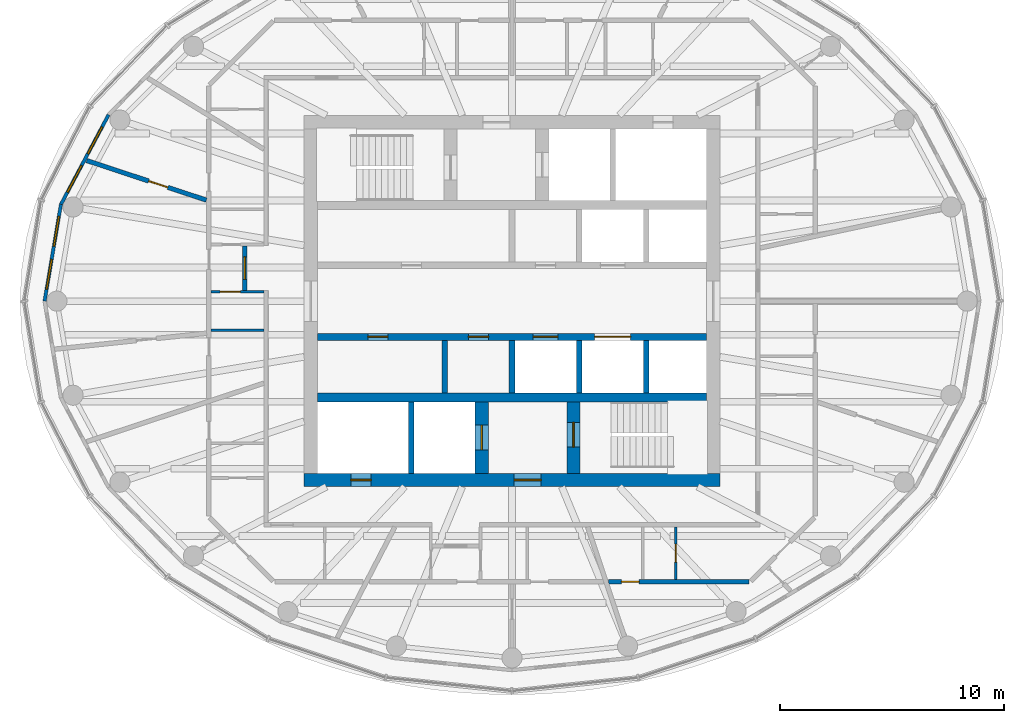
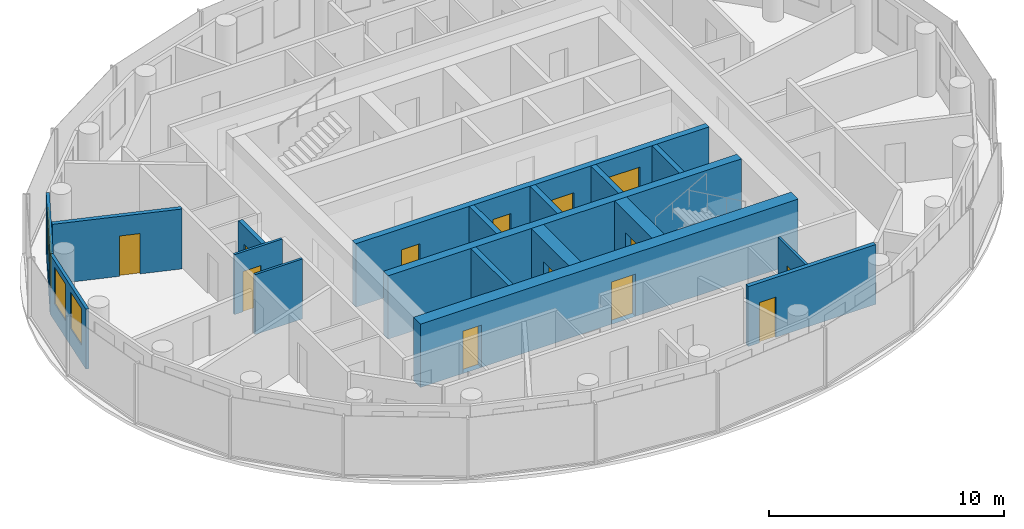
# One storey, part 6 of 11: 18 walls, 13 doors, 4 windows, 17 openings.
"""IFC4 building model written with IfcOpenShell, lengths in metres."""

from ifc_helpers import new_model, si_unit, direction, frame, frame_2d, origin, place, context, subcontext, project, spatial, rectangle, extrude, material, layer, layer_set, type_object, element, fill, save


model = new_model("IFC4")

# Units and contexts
model_context = context("Model", 3, precision=1e-05, world=origin(), true_north=direction((0.0, 1.0)))
body_context = subcontext(model_context, "Body", "Model", "MODEL_VIEW")
ifc_project = project(units=[si_unit("LENGTHUNIT", "METRE"), si_unit("AREAUNIT", "SQUARE_METRE"), si_unit("VOLUMEUNIT", "CUBIC_METRE"), si_unit("PLANEANGLEUNIT", "RADIAN"), si_unit("MASSUNIT", "GRAM", prefix="KILO")], contexts=[model_context])

# Site, building, storey
site_placement = place(None, origin())
site = spatial("IfcSite", under=ifc_project, at=site_placement, CompositionType="ELEMENT")
building_placement = place(site_placement, origin())
building = spatial("IfcBuilding", under=site, at=building_placement, Name="Hankou Lantern Tower", CompositionType="ELEMENT")
storey_placement = place(building_placement, frame((0.0, 0.0, 196.199951171875)))
storey = spatial("IfcBuildingStorey", under=building, at=storey_placement, Name="L52", CompositionType="ELEMENT", Elevation=196.199951171875)

# Wall, openings, doors
ifc_material_1 = material(Name="Concrete C60", Category="concrete")
ifc_layer_1 = layer(ifc_material_1, 0.60009765625)
ifc_layer_set_1 = layer_set([ifc_layer_1], Name="Concrete C60")
wall_type_1 = type_object("IfcWallType", Name="CW3 CORE WALL 600", PredefinedType="SHEAR", material=ifc_layer_set_1)
wall_1_placement = place(storey_placement, frame((9.300048828125, -8.0, 0.0), z_axis=(0.0, 0.0, 1.0), x_axis=(-1.0, 0.0, 0.0)))
wall_1 = element("IfcWall", 1, at=wall_1_placement, inside=storey, type_object=wall_type_1, Name="Core wall south L52", PredefinedType="SHEAR", context=body_context, shape_type="SweptSolid", body=[
    extrude(rectangle(XDim=18.60009765625, YDim=0.60009765625, at=frame_2d((9.300048828125, 0.0))), origin(), (0.0, 0.0, 1.0), 3.300048828125),
])
opening_1_placement = place(wall_1_placement, frame((8.0, 0.0, 0.0)))
opening_1 = element("IfcOpeningElement", 2, at=opening_1_placement, cuts=wall_1, Name="Opening D5", PredefinedType="OPENING", context=body_context, shape_type="SweptSolid", body=[
    extrude(rectangle(XDim=1.199951171875, YDim=2.199951171875, at=frame_2d((0.60009765625, 1.10009765625))), frame((0.0, 0.31005859375, 0.0), z_axis=(0.0, -1.0, 0.0), x_axis=(1.0, 0.0, 0.0)), (0.0, 0.0, 1.0), 0.6201171875),
])
opening_2_placement = place(wall_1_placement, frame((15.60009765625, 0.0, 0.0)))
opening_2 = element("IfcOpeningElement", 3, at=opening_2_placement, cuts=wall_1, Name="Opening D7", PredefinedType="OPENING", context=body_context, shape_type="SweptSolid", body=[
    extrude(rectangle(XDim=0.89990234375, YDim=2.199951171875, at=frame_2d((0.449951171875, 1.10009765625))), frame((0.0, 0.31005859375, 0.0), z_axis=(0.0, -1.0, 0.0), x_axis=(1.0, 0.0, 0.0)), (0.0, 0.0, 1.0), 0.6201171875),
])
ifc_material_2 = material(Name="Steel door leaf", Category="steel")
door_type_1 = type_object("IfcDoorType", Name="D5 STAIR LOBBY DOOR 1200X2200", OperationType="SINGLE_SWING_LEFT", PredefinedType="DOOR", material=ifc_material_2)
door_1_placement = place(opening_1_placement, origin())
door_1 = element("IfcDoor", 4, at=door_1_placement, inside=storey, type_object=door_type_1, Name="Stair B lobby door", OperationType="SINGLE_SWING_LEFT", OverallHeight=2.199951171875, OverallWidth=1.199951171875, PredefinedType="DOOR", context=body_context, shape_type="SweptSolid", body=[
    extrude(rectangle(XDim=1.199951171875, YDim=2.199951171875, at=frame_2d((0.60009765625, 1.10009765625))), frame((0.0, 0.02490234375, 0.0), z_axis=(0.0, -1.0, 0.0), x_axis=(1.0, 0.0, 0.0)), (0.0, 0.0, 1.0), 0.050048828125),
])
fill(opening_1, door_1)
ifc_material_3 = material(Name="Steel door leaf", Category="steel")
door_type_2 = type_object("IfcDoorType", Name="D7 RISER DOOR 900X2200", OperationType="SINGLE_SWING_LEFT", PredefinedType="DOOR", material=ifc_material_3)
door_2_placement = place(opening_2_placement, origin())
door_2 = element("IfcDoor", 5, at=door_2_placement, inside=storey, type_object=door_type_2, Name="Riser S1 door", OperationType="SINGLE_SWING_RIGHT", OverallHeight=2.199951171875, OverallWidth=0.89990234375, PredefinedType="DOOR", context=body_context, shape_type="SweptSolid", body=[
    extrude(rectangle(XDim=0.89990234375, YDim=2.199951171875, at=frame_2d((0.449951171875, 1.10009765625))), frame((0.0, 0.02490234375, 0.0), z_axis=(0.0, -1.0, 0.0), x_axis=(1.0, 0.0, 0.0)), (0.0, 0.0, 1.0), 0.050048828125),
])
fill(opening_2, door_2)

# Wall
ifc_material_4 = material(Name="Concrete C60", Category="concrete")
ifc_layer_2 = layer(ifc_material_4, 0.39990234375)
ifc_layer_set_2 = layer_set([ifc_layer_2], Name="Concrete C60")
wall_type_2 = type_object("IfcWallType", Name="CW4 CORE CROSS WALL 400", PredefinedType="SHEAR", material=ifc_layer_set_2)
wall_2_placement = place(storey_placement, frame((-8.699951171875, -4.300048828125, 0.0), z_axis=(0.0, 0.0, 1.0), x_axis=(1.0, 0.0, 0.0)))
element("IfcWall", 6, at=wall_2_placement, inside=storey, type_object=wall_type_2, Name="Core band wall south L52", PredefinedType="SHEAR", context=body_context, shape_type="SweptSolid", body=[
    extrude(rectangle(XDim=17.39990234375, YDim=0.39990234375, at=frame_2d((8.699951171875, 0.0))), origin(), (0.0, 0.0, 1.0), 3.300048828125),
])

# Wall, openings, doors
ifc_material_5 = material(Name="Concrete C60", Category="concrete")
ifc_layer_3 = layer(ifc_material_5, 0.300048828125)
ifc_layer_set_3 = layer_set([ifc_layer_3], Name="Concrete C60")
wall_type_3 = type_object("IfcWallType", Name="CW5 LIFT LOBBY WALL 300", PredefinedType="SHEAR", material=ifc_layer_set_3)
wall_3_placement = place(storey_placement, frame((-8.699951171875, -1.60009765625, 0.0), z_axis=(0.0, 0.0, 1.0), x_axis=(1.0, 0.0, 0.0)))
wall_3 = element("IfcWall", 7, at=wall_3_placement, inside=storey, type_object=wall_type_3, Name="Lift lobby wall south L52", PredefinedType="SHEAR", context=body_context, shape_type="SweptSolid", body=[
    extrude(rectangle(XDim=17.39990234375, YDim=0.300048828125, at=frame_2d((8.699951171875, 0.0))), origin(), (0.0, 0.0, 1.0), 3.300048828125),
])
opening_3_placement = place(wall_3_placement, frame((9.64990234375, 0.0, 0.0)))
opening_3 = element("IfcOpeningElement", 8, at=opening_3_placement, cuts=wall_3, Name="Opening LD1", PredefinedType="OPENING", context=body_context, shape_type="SweptSolid", body=[
    extrude(rectangle(XDim=1.10009765625, YDim=2.199951171875, at=frame_2d((0.550048828125, 1.10009765625))), frame((0.0, 0.159912109375, 0.0), z_axis=(0.0, -1.0, 0.0), x_axis=(1.0, 0.0, 0.0)), (0.0, 0.0, 1.0), 0.320068359375),
])
opening_4_placement = place(wall_3_placement, frame((12.39990234375, 0.0, 0.0)))
opening_4 = element("IfcOpeningElement", 9, at=opening_4_placement, cuts=wall_3, Name="Opening LD4", PredefinedType="OPENING", context=body_context, shape_type="SweptSolid", body=[
    extrude(rectangle(XDim=1.60009765625, YDim=2.39990234375, at=frame_2d((0.800048828125, 1.199951171875))), frame((0.0, 0.159912109375, 0.0), z_axis=(0.0, -1.0, 0.0), x_axis=(1.0, 0.0, 0.0)), (0.0, 0.0, 1.0), 0.320068359375),
])
opening_5_placement = place(wall_3_placement, frame((2.25, 0.0, 0.0)))
opening_5 = element("IfcOpeningElement", 10, at=opening_5_placement, cuts=wall_3, Name="Opening D30", PredefinedType="OPENING", context=body_context, shape_type="SweptSolid", body=[
    extrude(rectangle(XDim=0.89990234375, YDim=2.199951171875, at=frame_2d((0.449951171875, 1.10009765625))), frame((0.0, 0.159912109375, 0.0), z_axis=(0.0, -1.0, 0.0), x_axis=(1.0, 0.0, 0.0)), (0.0, 0.0, 1.0), 0.320068359375),
])
opening_6_placement = place(wall_3_placement, frame((6.75, 0.0, 0.0)))
opening_6 = element("IfcOpeningElement", 11, at=opening_6_placement, cuts=wall_3, Name="Opening D30", PredefinedType="OPENING", context=body_context, shape_type="SweptSolid", body=[
    extrude(rectangle(XDim=0.89990234375, YDim=2.199951171875, at=frame_2d((0.449951171875, 1.10009765625))), frame((0.0, 0.159912109375, 0.0), z_axis=(0.0, -1.0, 0.0), x_axis=(1.0, 0.0, 0.0)), (0.0, 0.0, 1.0), 0.320068359375),
])
ifc_material_6 = material(Name="Steel door leaf", Category="steel")
door_type_3 = type_object("IfcDoorType", Name="D30 CORE ROOM DOOR 900X2200", OperationType="SINGLE_SWING_LEFT", PredefinedType="DOOR", material=ifc_material_6)
door_3_placement = place(opening_5_placement, origin())
door_3 = element("IfcDoor", 12, at=door_3_placement, inside=storey, type_object=door_type_3, Name="Guest pantry and ice room door", OperationType="SINGLE_SWING_LEFT", OverallHeight=2.199951171875, OverallWidth=0.89990234375, PredefinedType="DOOR", context=body_context, shape_type="SweptSolid", body=[
    extrude(rectangle(XDim=0.89990234375, YDim=2.199951171875, at=frame_2d((0.449951171875, 1.10009765625))), frame((0.0, 0.02490234375, 0.0), z_axis=(0.0, -1.0, 0.0), x_axis=(1.0, 0.0, 0.0)), (0.0, 0.0, 1.0), 0.050048828125),
])
fill(opening_5, door_3)
door_4_placement = place(opening_6_placement, origin())
door_4 = element("IfcDoor", 13, at=door_4_placement, inside=storey, type_object=door_type_3, Name="Housekeeping and linen store door", OperationType="SINGLE_SWING_LEFT", OverallHeight=2.199951171875, OverallWidth=0.89990234375, PredefinedType="DOOR", context=body_context, shape_type="SweptSolid", body=[
    extrude(rectangle(XDim=0.89990234375, YDim=2.199951171875, at=frame_2d((0.449951171875, 1.10009765625))), frame((0.0, 0.02490234375, 0.0), z_axis=(0.0, -1.0, 0.0), x_axis=(1.0, 0.0, 0.0)), (0.0, 0.0, 1.0), 0.050048828125),
])
fill(opening_6, door_4)
ifc_material_7 = material(Name="Steel door leaf", Category="steel")
door_type_4 = type_object("IfcDoorType", Name="LD1 LIFT LANDING DOOR 1100X2200", OperationType="DOUBLE_DOOR_SLIDING", PredefinedType="DOOR", material=ifc_material_7)
door_5_placement = place(opening_3_placement, origin())
door_5 = element("IfcDoor", 14, at=door_5_placement, inside=storey, type_object=door_type_4, Name="Lift T2 landing door", OperationType="DOUBLE_DOOR_SLIDING", OverallHeight=2.199951171875, OverallWidth=1.10009765625, PredefinedType="DOOR", context=body_context, shape_type="SweptSolid", body=[
    extrude(rectangle(XDim=1.10009765625, YDim=2.199951171875, at=frame_2d((0.550048828125, 1.10009765625))), frame((0.0, 0.02490234375, 0.0), z_axis=(0.0, -1.0, 0.0), x_axis=(1.0, 0.0, 0.0)), (0.0, 0.0, 1.0), 0.050048828125),
])
fill(opening_3, door_5)
ifc_material_8 = material(Name="Steel door leaf", Category="steel")
door_type_5 = type_object("IfcDoorType", Name="LD4 SERVICE LIFT LANDING DOOR 1600X2400", OperationType="DOUBLE_DOOR_SLIDING", PredefinedType="DOOR", material=ifc_material_8)
door_6_placement = place(opening_4_placement, origin())
door_6 = element("IfcDoor", 15, at=door_6_placement, inside=storey, type_object=door_type_5, Name="Lift SV1 landing door", OperationType="DOUBLE_DOOR_SLIDING", OverallHeight=2.39990234375, OverallWidth=1.60009765625, PredefinedType="DOOR", context=body_context, shape_type="SweptSolid", body=[
    extrude(rectangle(XDim=1.60009765625, YDim=2.39990234375, at=frame_2d((0.800048828125, 1.199951171875))), frame((0.0, 0.02490234375, 0.0), z_axis=(0.0, -1.0, 0.0), x_axis=(1.0, 0.0, 0.0)), (0.0, 0.0, 1.0), 0.050048828125),
])
fill(opening_4, door_6)

# Wall, opening, door
ifc_material_9 = material(Name="Concrete C60", Category="concrete")
ifc_layer_4 = layer(ifc_material_9, 0.60009765625)
ifc_layer_set_4 = layer_set([ifc_layer_4], Name="Concrete C60")
wall_type_4 = type_object("IfcWallType", Name="CW6 STAIR AND SHAFT WALL 600", PredefinedType="SHEAR", material=ifc_layer_set_4)
wall_4_placement = place(storey_placement, frame((2.75, -7.699951171875, 0.0), z_axis=(0.0, 0.0, 1.0), x_axis=(0.0, 1.0, 0.0)))
wall_4 = element("IfcWall", 16, at=wall_4_placement, inside=storey, type_object=wall_type_4, Name="Stair wall L52", PredefinedType="SHEAR", context=body_context, shape_type="SweptSolid", body=[
    extrude(rectangle(XDim=3.199951171875, YDim=0.60009765625, at=frame_2d((1.60009765625, 0.0))), origin(), (0.0, 0.0, 1.0), 3.300048828125),
])
opening_7_placement = place(wall_4_placement, frame((1.175048828125, 0.0, 0.0)))
opening_7 = element("IfcOpeningElement", 17, at=opening_7_placement, cuts=wall_4, Name="Opening D4", PredefinedType="OPENING", context=body_context, shape_type="SweptSolid", body=[
    extrude(rectangle(XDim=1.10009765625, YDim=2.199951171875, at=frame_2d((0.550048828125, 1.10009765625))), frame((0.0, 0.31005859375, 0.0), z_axis=(0.0, -1.0, 0.0), x_axis=(1.0, 0.0, 0.0)), (0.0, 0.0, 1.0), 0.6201171875),
])
ifc_material_10 = material(Name="Steel door leaf", Category="steel")
door_type_6 = type_object("IfcDoorType", Name="D4 STAIR DOOR 1100X2200", OperationType="SINGLE_SWING_LEFT", PredefinedType="DOOR", material=ifc_material_10)
door_7_placement = place(opening_7_placement, origin())
door_7 = element("IfcDoor", 18, at=door_7_placement, inside=storey, type_object=door_type_6, Name="Stair B door", OperationType="SINGLE_SWING_RIGHT", OverallHeight=2.199951171875, OverallWidth=1.10009765625, PredefinedType="DOOR", context=body_context, shape_type="SweptSolid", body=[
    extrude(rectangle(XDim=1.10009765625, YDim=2.199951171875, at=frame_2d((0.550048828125, 1.10009765625))), frame((0.0, 0.02490234375, 0.0), z_axis=(0.0, -1.0, 0.0), x_axis=(1.0, 0.0, 0.0)), (0.0, 0.0, 1.0), 0.050048828125),
])
fill(opening_7, door_7)

wall_5_placement = place(storey_placement, frame((-1.35009765625, -7.699951171875, 0.0), z_axis=(0.0, 0.0, 1.0), x_axis=(0.0, 1.0, 0.0)))
wall_5 = element("IfcWall", 19, at=wall_5_placement, inside=storey, type_object=wall_type_4, Name="Firefighting lift shaft wall L52", PredefinedType="SHEAR", context=body_context, shape_type="SweptSolid", body=[
    extrude(rectangle(XDim=3.199951171875, YDim=0.60009765625, at=frame_2d((1.60009765625, 0.0))), origin(), (0.0, 0.0, 1.0), 3.300048828125),
])
opening_8_placement = place(wall_5_placement, frame((1.050048828125, 0.0, 0.0)))
opening_8 = element("IfcOpeningElement", 20, at=opening_8_placement, cuts=wall_5, Name="Opening LD2", PredefinedType="OPENING", context=body_context, shape_type="SweptSolid", body=[
    extrude(rectangle(XDim=1.10009765625, YDim=2.199951171875, at=frame_2d((0.550048828125, 1.10009765625))), frame((0.0, 0.31005859375, 0.0), z_axis=(0.0, -1.0, 0.0), x_axis=(1.0, 0.0, 0.0)), (0.0, 0.0, 1.0), 0.6201171875),
])
ifc_material_11 = material(Name="Steel door leaf", Category="steel")
door_type_7 = type_object("IfcDoorType", Name="LD2 FIREFIGHTING LIFT LANDING DOOR 1100X2200", OperationType="DOUBLE_DOOR_SLIDING", PredefinedType="DOOR", material=ifc_material_11)
door_8_placement = place(opening_8_placement, origin())
door_8 = element("IfcDoor", 21, at=door_8_placement, inside=storey, type_object=door_type_7, Name="Firefighting lift FL2 landing door", OperationType="DOUBLE_DOOR_SLIDING", OverallHeight=2.199951171875, OverallWidth=1.10009765625, PredefinedType="DOOR", context=body_context, shape_type="SweptSolid", body=[
    extrude(rectangle(XDim=1.10009765625, YDim=2.199951171875, at=frame_2d((0.550048828125, 1.10009765625))), frame((0.0, 0.02490234375, 0.0), z_axis=(0.0, -1.0, 0.0), x_axis=(1.0, 0.0, 0.0)), (0.0, 0.0, 1.0), 0.050048828125),
])
fill(opening_8, door_8)

# Wall, openings, windows
ifc_material_12 = material(Name="Aluminium spandrel panel on steel studs", Category="steel")
ifc_layer_5 = layer(ifc_material_12, 0.14990234375)
ifc_layer_set_5 = layer_set([ifc_layer_5], Name="Aluminium spandrel panel on steel studs")
wall_type_5 = type_object("IfcWallType", Name="EW1 INNER SKIN WALL 150", PredefinedType="ELEMENTEDWALL", material=ifc_layer_set_5)
wall_6_placement = place(storey_placement, frame((-18.03955078125, 8.33203125, 0.0), z_axis=(0.0, 0.0, 1.0), x_axis=(-0.469256152955, -0.883062094597, 0.0)))
wall_6 = element("IfcWall", 22, at=wall_6_placement, inside=storey, type_object=wall_type_5, Name="Inner skin R11-R12 L52", PredefinedType="ELEMENTEDWALL", context=body_context, shape_type="SweptSolid", body=[
    extrude(rectangle(XDim=4.539306640625, YDim=0.14990234375, at=frame_2d((2.26953125, 0.0))), origin(), (0.0, 0.0, 1.0), 3.1201171875),
])
opening_9_placement = place(wall_6_placement, frame((0.61962890625, 0.0, 0.89990234375)))
opening_9 = element("IfcOpeningElement", 23, at=opening_9_placement, cuts=wall_6, Name="Opening W4", PredefinedType="OPENING", context=body_context, shape_type="SweptSolid", body=[
    extrude(rectangle(XDim=1.35009765625, YDim=1.89990234375, at=frame_2d((0.675048828125, 0.949951171875))), frame((0.0, 0.0849609375, 0.0), z_axis=(0.0, -1.0, 0.0), x_axis=(1.0, 0.0, 0.0)), (0.0, 0.0, 1.0), 0.169921875),
])
opening_10_placement = place(wall_6_placement, frame((2.569580078125, 0.0, 0.89990234375)))
opening_10 = element("IfcOpeningElement", 24, at=opening_10_placement, cuts=wall_6, Name="Opening W4", PredefinedType="OPENING", context=body_context, shape_type="SweptSolid", body=[
    extrude(rectangle(XDim=1.35009765625, YDim=1.89990234375, at=frame_2d((0.675048828125, 0.949951171875))), frame((0.0, 0.0849609375, 0.0), z_axis=(0.0, -1.0, 0.0), x_axis=(1.0, 0.0, 0.0)), (0.0, 0.0, 1.0), 0.169921875),
])
ifc_material_13 = material(Name="Aluminium framed double glazed window", Category="aluminium")
window_type = type_object("IfcWindowType", Name="W4 SUITE WINDOW 1350X1900", PartitioningType="DOUBLE_PANEL_VERTICAL", PredefinedType="WINDOW", material=ifc_material_13)
window_1_placement = place(opening_9_placement, origin())
window_1 = element("IfcWindow", 25, at=window_1_placement, inside=storey, type_object=window_type, Name="Window R11.1 L52", OverallHeight=1.89990234375, OverallWidth=1.35009765625, PartitioningType="SINGLE_PANEL", PredefinedType="WINDOW", context=body_context, shape_type="SweptSolid", body=[
    extrude(rectangle(XDim=1.35009765625, YDim=1.89990234375, at=frame_2d((0.675048828125, 0.949951171875))), frame((0.0, 0.030029296875, 0.0), z_axis=(0.0, -1.0, 0.0), x_axis=(1.0, 0.0, 0.0)), (0.0, 0.0, 1.0), 0.06005859375),
])
fill(opening_9, window_1)
window_2_placement = place(opening_10_placement, origin())
window_2 = element("IfcWindow", 26, at=window_2_placement, inside=storey, type_object=window_type, Name="Window R11.2 L52", OverallHeight=1.89990234375, OverallWidth=1.35009765625, PartitioningType="SINGLE_PANEL", PredefinedType="WINDOW", context=body_context, shape_type="SweptSolid", body=[
    extrude(rectangle(XDim=1.35009765625, YDim=1.89990234375, at=frame_2d((0.675048828125, 0.949951171875))), frame((0.0, 0.030029296875, 0.0), z_axis=(0.0, -1.0, 0.0), x_axis=(1.0, 0.0, 0.0)), (0.0, 0.0, 1.0), 0.06005859375),
])
fill(opening_10, window_2)

wall_7_placement = place(storey_placement, frame((-20.169677734375, 4.323486328125, 0.0), z_axis=(0.0, 0.0, 1.0), x_axis=(-0.166538513568, -0.986034950445, 0.0)))
wall_7 = element("IfcWall", 27, at=wall_7_placement, inside=storey, type_object=wall_type_5, Name="Inner skin R12-R13 L52", PredefinedType="ELEMENTEDWALL", context=body_context, shape_type="SweptSolid", body=[
    extrude(rectangle(XDim=4.384765625, YDim=0.14990234375, at=frame_2d((2.1923828125, 0.0))), origin(), (0.0, 0.0, 1.0), 3.1201171875),
])
opening_11_placement = place(wall_7_placement, frame((0.54248046875, 0.0, 0.89990234375)))
opening_11 = element("IfcOpeningElement", 28, at=opening_11_placement, cuts=wall_7, Name="Opening W4", PredefinedType="OPENING", context=body_context, shape_type="SweptSolid", body=[
    extrude(rectangle(XDim=1.35009765625, YDim=1.89990234375, at=frame_2d((0.675048828125, 0.949951171875))), frame((0.0, 0.0849609375, 0.0), z_axis=(0.0, -1.0, 0.0), x_axis=(1.0, 0.0, 0.0)), (0.0, 0.0, 1.0), 0.169921875),
])
opening_12_placement = place(wall_7_placement, frame((2.492431640625, 0.0, 0.89990234375)))
opening_12 = element("IfcOpeningElement", 29, at=opening_12_placement, cuts=wall_7, Name="Opening W4", PredefinedType="OPENING", context=body_context, shape_type="SweptSolid", body=[
    extrude(rectangle(XDim=1.35009765625, YDim=1.89990234375, at=frame_2d((0.675048828125, 0.949951171875))), frame((0.0, 0.0849609375, 0.0), z_axis=(0.0, -1.0, 0.0), x_axis=(1.0, 0.0, 0.0)), (0.0, 0.0, 1.0), 0.169921875),
])
window_3_placement = place(opening_11_placement, origin())
window_3 = element("IfcWindow", 30, at=window_3_placement, inside=storey, type_object=window_type, Name="Window R12.1 L52", OverallHeight=1.89990234375, OverallWidth=1.35009765625, PartitioningType="SINGLE_PANEL", PredefinedType="WINDOW", context=body_context, shape_type="SweptSolid", body=[
    extrude(rectangle(XDim=1.35009765625, YDim=1.89990234375, at=frame_2d((0.675048828125, 0.949951171875))), frame((0.0, 0.030029296875, 0.0), z_axis=(0.0, -1.0, 0.0), x_axis=(1.0, 0.0, 0.0)), (0.0, 0.0, 1.0), 0.06005859375),
])
fill(opening_11, window_3)
window_4_placement = place(opening_12_placement, origin())
window_4 = element("IfcWindow", 31, at=window_4_placement, inside=storey, type_object=window_type, Name="Window R12.2 L52", OverallHeight=1.89990234375, OverallWidth=1.35009765625, PartitioningType="SINGLE_PANEL", PredefinedType="WINDOW", context=body_context, shape_type="SweptSolid", body=[
    extrude(rectangle(XDim=1.35009765625, YDim=1.89990234375, at=frame_2d((0.675048828125, 0.949951171875))), frame((0.0, 0.030029296875, 0.0), z_axis=(0.0, -1.0, 0.0), x_axis=(1.0, 0.0, 0.0)), (0.0, 0.0, 1.0), 0.06005859375),
])
fill(opening_12, window_4)

# Wall, opening, door
ifc_material_14 = material(Name="Masonry lightweight concrete block", Category="masonry")
ifc_layer_6 = layer(ifc_material_14, 0.199951171875)
ifc_layer_set_6 = layer_set([ifc_layer_6], Name="Masonry lightweight concrete block")
wall_type_6 = type_object("IfcWallType", Name="IW2 CORRIDOR WALL 200", PredefinedType="PARTITIONING", material=ifc_layer_set_6)
wall_8_placement = place(storey_placement, frame((-11.949951171875, 2.474365234375, 0.0), z_axis=(0.0, 0.0, 1.0), x_axis=(0.0, -1.0, 0.0)))
wall_8 = element("IfcWall", 32, at=wall_8_placement, inside=storey, type_object=wall_type_6, Name="Suite entrance recess wall 5204", PredefinedType="PARTITIONING", context=body_context, shape_type="SweptSolid", body=[
    extrude(rectangle(XDim=2.0, YDim=0.199951171875, at=frame_2d((1.0, 0.0))), origin(), (0.0, 0.0, 1.0), 3.1201171875),
])
opening_13_placement = place(wall_8_placement, frame((0.5, 0.0, 0.0)))
opening_13 = element("IfcOpeningElement", 33, at=opening_13_placement, cuts=wall_8, Name="Opening D2", PredefinedType="OPENING", context=body_context, shape_type="SweptSolid", body=[
    extrude(rectangle(XDim=1.0, YDim=2.199951171875, at=frame_2d((0.5, 1.10009765625))), frame((0.0, 0.10986328125, 0.0), z_axis=(0.0, -1.0, 0.0), x_axis=(1.0, 0.0, 0.0)), (0.0, 0.0, 1.0), 0.219970703125),
])
ifc_material_15 = material(Name="Steel door leaf", Category="steel")
door_type_8 = type_object("IfcDoorType", Name="D2 SUITE DOOR 1000X2200", OperationType="SINGLE_SWING_LEFT", PredefinedType="DOOR", material=ifc_material_15)
door_9_placement = place(opening_13_placement, origin())
door_9 = element("IfcDoor", 34, at=door_9_placement, inside=storey, type_object=door_type_8, Name="Suite door 5204", OperationType="SINGLE_SWING_RIGHT", OverallHeight=2.199951171875, OverallWidth=1.0, PredefinedType="DOOR", context=body_context, shape_type="SweptSolid", body=[
    extrude(rectangle(XDim=1.0, YDim=2.199951171875, at=frame_2d((0.5, 1.10009765625))), frame((0.0, 0.02490234375, 0.0), z_axis=(0.0, -1.0, 0.0), x_axis=(1.0, 0.0, 0.0)), (0.0, 0.0, 1.0), 0.050048828125),
])
fill(opening_13, door_9)

ifc_material_16 = material(Name="Masonry lightweight concrete block", Category="masonry")
ifc_layer_7 = layer(ifc_material_16, 0.1201171875)
ifc_layer_set_7 = layer_set([ifc_layer_7], Name="Masonry lightweight concrete block")
wall_type_7 = type_object("IfcWallType", Name="IW3 BATHROOM WALL 120", PredefinedType="PARTITIONING", material=ifc_layer_set_7)
wall_9_placement = place(storey_placement, frame((-11.10009765625, 0.414306640625, 0.0), z_axis=(0.0, 0.0, 1.0), x_axis=(-1.0, 0.0, 0.0)))
wall_9 = element("IfcWall", 35, at=wall_9_placement, inside=storey, type_object=wall_type_7, Name="Box wall 5204 3", PredefinedType="PARTITIONING", context=body_context, shape_type="SweptSolid", body=[
    extrude(rectangle(XDim=2.349853515625, YDim=0.1201171875, at=frame_2d((1.1748046875, 0.0))), origin(), (0.0, 0.0, 1.0), 3.1201171875),
])
opening_14_placement = place(wall_9_placement, frame((1.050048828125, 0.0, 0.0)))
opening_14 = element("IfcOpeningElement", 36, at=opening_14_placement, cuts=wall_9, Name="Opening D27", PredefinedType="OPENING", context=body_context, shape_type="SweptSolid", body=[
    extrude(rectangle(XDim=0.89990234375, YDim=2.10009765625, at=frame_2d((0.449951171875, 1.050048828125))), frame((0.0, 0.070068359375, 0.0), z_axis=(0.0, -1.0, 0.0), x_axis=(1.0, 0.0, 0.0)), (0.0, 0.0, 1.0), 0.14013671875),
])
ifc_material_17 = material(Name="Timber door leaf", Category="wood")
door_type_9 = type_object("IfcDoorType", Name="D27 INTERNAL DOOR 900X2100", OperationType="SINGLE_SWING_LEFT", PredefinedType="DOOR", material=ifc_material_17)
door_10_placement = place(opening_14_placement, origin())
door_10 = element("IfcDoor", 37, at=door_10_placement, inside=storey, type_object=door_type_9, Name="Family suite 5204 walk-in wardrobe door", OperationType="SINGLE_SWING_RIGHT", OverallHeight=2.10009765625, OverallWidth=0.89990234375, PredefinedType="DOOR", context=body_context, shape_type="SweptSolid", body=[
    extrude(rectangle(XDim=0.89990234375, YDim=2.10009765625, at=frame_2d((0.449951171875, 1.050048828125))), frame((0.0, 0.02490234375, 0.0), z_axis=(0.0, -1.0, 0.0), x_axis=(1.0, 0.0, 0.0)), (0.0, 0.0, 1.0), 0.050048828125),
])
fill(opening_14, door_10)

# Wall
wall_10_placement = place(storey_placement, frame((-11.10009765625, -1.3056640625, 0.0), z_axis=(0.0, 0.0, 1.0), x_axis=(-1.0, 0.0, 0.0)))
element("IfcWall", 38, at=wall_10_placement, inside=storey, type_object=wall_type_7, Name="Box wall 5204 4", PredefinedType="PARTITIONING", context=body_context, shape_type="SweptSolid", body=[
    extrude(rectangle(XDim=2.349853515625, YDim=0.1201171875, at=frame_2d((1.1748046875, 0.0))), origin(), (0.0, 0.0, 1.0), 3.1201171875),
])

# Wall, opening, door
wall_11_placement = place(storey_placement, frame((7.3193359375, -10.10009765625, 0.0), z_axis=(0.0, 0.0, 1.0), x_axis=(0.0, -1.0, 0.0)))
wall_11 = element("IfcWall", 39, at=wall_11_placement, inside=storey, type_object=wall_type_7, Name="Box wall 5207 2", PredefinedType="PARTITIONING", context=body_context, shape_type="SweptSolid", body=[
    extrude(rectangle(XDim=2.349853515625, YDim=0.1201171875, at=frame_2d((1.1748046875, 0.0))), origin(), (0.0, 0.0, 1.0), 3.1201171875),
])
opening_15_placement = place(wall_11_placement, frame((0.77001953125, 0.0, 0.0)))
opening_15 = element("IfcOpeningElement", 40, at=opening_15_placement, cuts=wall_11, Name="Opening D3", PredefinedType="OPENING", context=body_context, shape_type="SweptSolid", body=[
    extrude(rectangle(XDim=0.800048828125, YDim=2.10009765625, at=frame_2d((0.39990234375, 1.050048828125))), frame((0.0, 0.070068359375, 0.0), z_axis=(0.0, -1.0, 0.0), x_axis=(1.0, 0.0, 0.0)), (0.0, 0.0, 1.0), 0.14013671875),
])
ifc_material_18 = material(Name="Timber door leaf", Category="wood")
door_type_10 = type_object("IfcDoorType", Name="D3 BATHROOM DOOR 800X2100", OperationType="SINGLE_SWING_LEFT", PredefinedType="DOOR", material=ifc_material_18)
door_11_placement = place(opening_15_placement, origin())
door_11 = element("IfcDoor", 41, at=door_11_placement, inside=storey, type_object=door_type_10, Name="Family suite 5207 guest WC door", OperationType="SINGLE_SWING_LEFT", OverallHeight=2.10009765625, OverallWidth=0.800048828125, PredefinedType="DOOR", context=body_context, shape_type="SweptSolid", body=[
    extrude(rectangle(XDim=0.800048828125, YDim=2.10009765625, at=frame_2d((0.39990234375, 1.050048828125))), frame((0.0, 0.02490234375, 0.0), z_axis=(0.0, -1.0, 0.0), x_axis=(1.0, 0.0, 0.0)), (0.0, 0.0, 1.0), 0.050048828125),
])
fill(opening_15, door_11)

ifc_material_19 = material(Name="Masonry lightweight concrete block", Category="masonry")
ifc_layer_8 = layer(ifc_material_19, 0.199951171875)
ifc_layer_set_8 = layer_set([ifc_layer_8], Name="Masonry lightweight concrete block")
wall_type_8 = type_object("IfcWallType", Name="IW6 SUITE PARTITION 200", PredefinedType="PARTITIONING", material=ifc_layer_set_8)
wall_12_placement = place(storey_placement, frame((-13.664306640625, 4.516357421875, 0.0), z_axis=(0.0, 0.0, 1.0), x_axis=(-0.949481375941, 0.313823384632, 0.0)))
wall_12 = element("IfcWall", 42, at=wall_12_placement, inside=storey, type_object=wall_type_8, Name="Suite partition R11-R12", PredefinedType="PARTITIONING", context=body_context, shape_type="SweptSolid", body=[
    extrude(rectangle(XDim=5.637939453125, YDim=0.199951171875, at=frame_2d((2.81884765625, 0.0))), origin(), (0.0, 0.0, 1.0), 3.1201171875),
])
opening_16_placement = place(wall_12_placement, frame((1.820068359375, 0.0, 0.0)))
opening_16 = element("IfcOpeningElement", 43, at=opening_16_placement, cuts=wall_12, Name="Opening D27", PredefinedType="OPENING", context=body_context, shape_type="SweptSolid", body=[
    extrude(rectangle(XDim=0.89990234375, YDim=2.10009765625, at=frame_2d((0.449951171875, 1.050048828125))), frame((0.0, 0.10986328125, 0.0), z_axis=(0.0, -1.0, 0.0), x_axis=(1.0, 0.0, 0.0)), (0.0, 0.0, 1.0), 0.219970703125),
])
door_12_placement = place(opening_16_placement, origin())
door_12 = element("IfcDoor", 44, at=door_12_placement, inside=storey, type_object=door_type_9, Name="Family suite 5204 bedroom door", OperationType="SINGLE_SWING_LEFT", OverallHeight=2.10009765625, OverallWidth=0.89990234375, PredefinedType="DOOR", context=body_context, shape_type="SweptSolid", body=[
    extrude(rectangle(XDim=0.89990234375, YDim=2.10009765625, at=frame_2d((0.449951171875, 1.050048828125))), frame((0.0, 0.02490234375, 0.0), z_axis=(0.0, -1.0, 0.0), x_axis=(1.0, 0.0, 0.0)), (0.0, 0.0, 1.0), 0.050048828125),
])
fill(opening_16, door_12)

wall_13_placement = place(storey_placement, frame((4.324951171875, -12.550048828125, 0.0), z_axis=(0.0, 0.0, 1.0), x_axis=(1.0, 0.0, 0.0)))
wall_13 = element("IfcWall", 45, at=wall_13_placement, inside=storey, type_object=wall_type_8, Name="Suite foyer wall 5207", PredefinedType="PARTITIONING", context=body_context, shape_type="SweptSolid", body=[
    extrude(rectangle(XDim=6.28369140625, YDim=0.199951171875, at=frame_2d((3.141845703125, 0.0))), origin(), (0.0, 0.0, 1.0), 3.1201171875),
])
opening_17_placement = place(wall_13_placement, frame((0.564453125, 0.0, 0.0)))
opening_17 = element("IfcOpeningElement", 46, at=opening_17_placement, cuts=wall_13, Name="Opening D3", PredefinedType="OPENING", context=body_context, shape_type="SweptSolid", body=[
    extrude(rectangle(XDim=0.800048828125, YDim=2.10009765625, at=frame_2d((0.39990234375, 1.050048828125))), frame((0.0, 0.10986328125, 0.0), z_axis=(0.0, -1.0, 0.0), x_axis=(1.0, 0.0, 0.0)), (0.0, 0.0, 1.0), 0.219970703125),
])
door_13_placement = place(opening_17_placement, origin())
door_13 = element("IfcDoor", 47, at=door_13_placement, inside=storey, type_object=door_type_10, Name="Family suite 5207 bathroom door", OperationType="SINGLE_SWING_RIGHT", OverallHeight=2.10009765625, OverallWidth=0.800048828125, PredefinedType="DOOR", context=body_context, shape_type="SweptSolid", body=[
    extrude(rectangle(XDim=0.800048828125, YDim=2.10009765625, at=frame_2d((0.39990234375, 1.050048828125))), frame((0.0, 0.02490234375, 0.0), z_axis=(0.0, -1.0, 0.0), x_axis=(1.0, 0.0, 0.0)), (0.0, 0.0, 1.0), 0.050048828125),
])
fill(opening_17, door_13)

# Walls
ifc_material_20 = material(Name="Masonry autoclaved aerated concrete block", Category="masonry")
ifc_layer_9 = layer(ifc_material_20, 0.25)
ifc_layer_set_9 = layer_set([ifc_layer_9], Name="Masonry autoclaved aerated concrete block")
wall_type_9 = type_object("IfcWallType", Name="SW1 SHAFT BLOCK WALL 250", PredefinedType="PARTITIONING", material=ifc_layer_set_9)
wall_14_placement = place(storey_placement, frame((-4.5, -7.699951171875, 0.0), z_axis=(0.0, 0.0, 1.0), x_axis=(0.0, 1.0, 0.0)))
element("IfcWall", 48, at=wall_14_placement, inside=storey, type_object=wall_type_9, Name="Riser wall L52", PredefinedType="PARTITIONING", context=body_context, shape_type="SweptSolid", body=[
    extrude(rectangle(XDim=3.199951171875, YDim=0.25, at=frame_2d((1.60009765625, 0.0))), origin(), (0.0, 0.0, 1.0), 3.300048828125),
])
for number, where, z_axis, x_axis, name in (
    (49, (-3.0, -4.10009765625, 0.0), (0.0, 0.0, 1.0), (0.0, 1.0, 0.0), "Lift shaft wall L52"),
    (50, (0.0, -4.10009765625, 0.0), (0.0, 0.0, 1.0), (0.0, 1.0, 0.0), "Lift shaft wall L52"),
    (51, (3.0, -4.10009765625, 0.0), (0.0, 0.0, 1.0), (0.0, 1.0, 0.0), "Lift shaft wall L52"),
    (52, (6.0, -4.10009765625, 0.0), (0.0, 0.0, 1.0), (0.0, 1.0, 0.0), "Lift shaft wall L52"),
):
    element("IfcWall", number, at=place(storey_placement, frame(where, z_axis=z_axis, x_axis=x_axis)), inside=storey, type_object=wall_type_9, Name=name, PredefinedType="PARTITIONING", context=body_context, shape_type="SweptSolid", body=[
        extrude(rectangle(XDim=2.35009765625, YDim=0.25, at=frame_2d((1.175048828125, 0.0))), origin(), (0.0, 0.0, 1.0), 3.300048828125),
    ])

save(model, "model.ifc")
